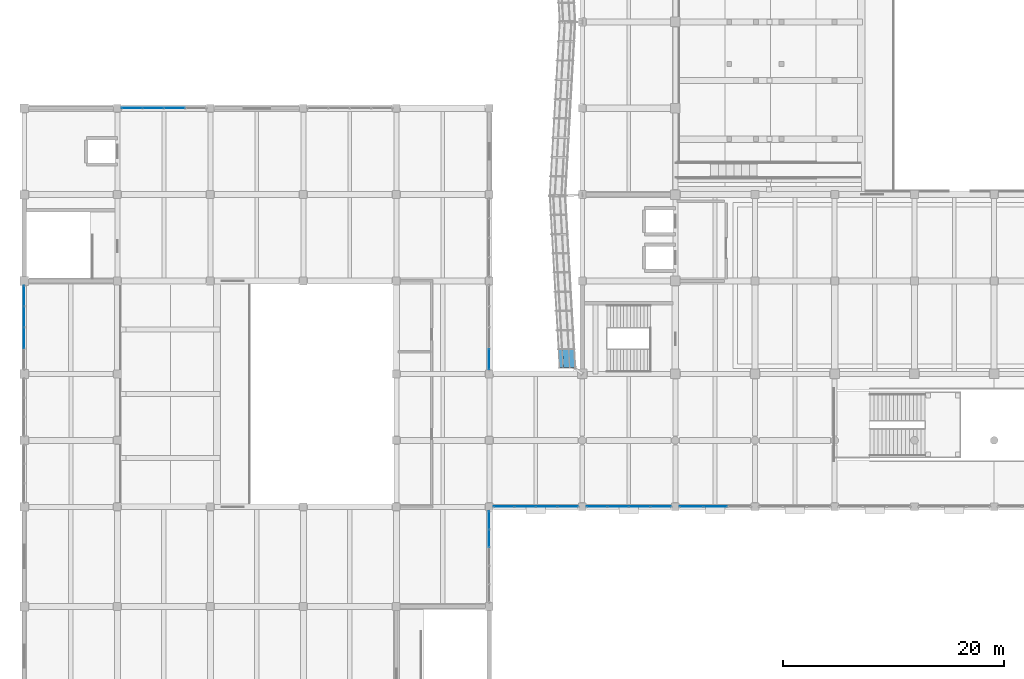
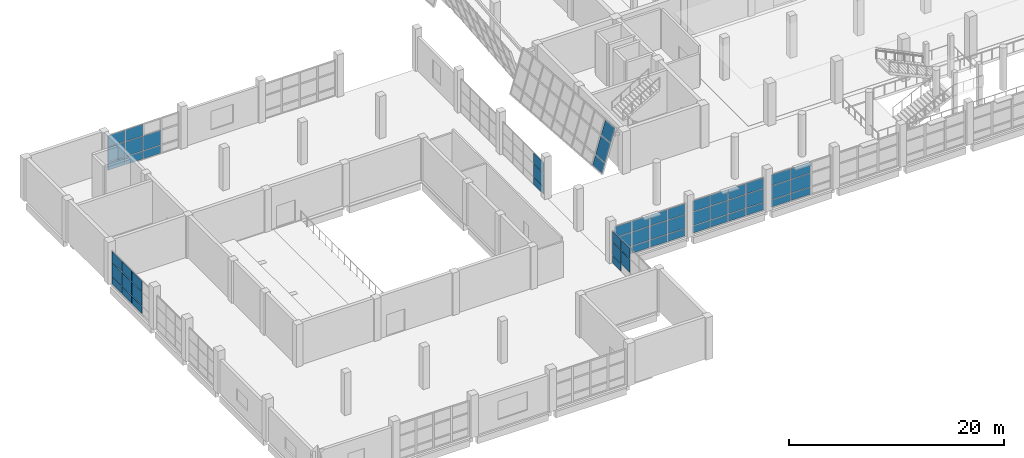
# One storey, part 65 of 91: 58 plates, 8 elements without a shape of their own.
"""IFC4 building model written with IfcOpenShell, lengths in metres."""

from ifc_helpers import new_model, si_unit, direction, frame, origin, place, context, subcontext, project, spatial, polyline, outline, extrude, material, layer, layer_set, type_object, element, aggregate, save


model = new_model("IFC4")

# Units and contexts
model_context = context("Model", 3, precision=1e-05, world=origin(), true_north=direction((0.0, 1.0)))
body_context = subcontext(model_context, "Body", "Model", "MODEL_VIEW")
ifc_project = project(units=[si_unit("LENGTHUNIT", "METRE"), si_unit("AREAUNIT", "SQUARE_METRE"), si_unit("VOLUMEUNIT", "CUBIC_METRE"), si_unit("PLANEANGLEUNIT", "RADIAN"), si_unit("MASSUNIT", "GRAM", prefix="KILO")], contexts=[model_context])

# Site, building, storey
site_placement = place(None, origin())
site = spatial("IfcSite", under=ifc_project, at=site_placement, CompositionType="ELEMENT")
building_placement = place(site_placement, origin())
building = spatial("IfcBuilding", under=site, at=building_placement, Name="Pellamere Symphony Hall", CompositionType="ELEMENT")
storey_placement = place(building_placement, frame((0.0, 0.0, 5.39990234375)))
storey = spatial("IfcBuildingStorey", under=building, at=storey_placement, Name="L01", CompositionType="ELEMENT", Elevation=5.39990234375)

# Curtain wall, plates
ifc_material_1 = material(Name="Thermally Broken Anodised Aluminium 6063-T6 Curtain Wall", Category="aluminium")
curtain_wall_type_1 = type_object("IfcCurtainWallType", Name="Curtain Wall CW-02 (Winter-Garden South Concourse Curtain Wall)", PredefinedType="NOTDEFINED", material=ifc_material_1)
curtain_wall_1_placement = place(storey_placement, origin())
curtain_wall_1 = element("IfcCurtainWall", 1, at=curtain_wall_1_placement, inside=storey, type_object=curtain_wall_type_1, Name="Winter-Garden South Curtain Wall (L01 Bay 1)", PredefinedType="NOTDEFINED")
ifc_material_2 = material(Name="Triple Low-E Argon Acoustic Glazing 36mm", Category="glass")
ifc_layer_1 = layer(ifc_material_2, 0.035888671875, Name="Triple Low-E Argon Acoustic Glazing 36mm")
ifc_layer_set_1 = layer_set([ifc_layer_1], Name="Triple Low-E Argon Acoustic Glazing 36mm")
plate_type_1 = type_object("IfcPlateType", Name="Facade Panel GL-01 36mm", PredefinedType="CURTAIN_PANEL", material=ifc_layer_set_1)
plate_1_placement = place(storey_placement, frame((42.4150390625, 18.0, 0.065185546875), z_axis=(0.0, -1.0, 0.0), x_axis=(1.0, 0.0, 0.0)))
plate_1 = element("IfcPlate", 2, at=plate_1_placement, type_object=plate_type_1, Name="CW2-066 crystal glass panel 1.1", PredefinedType="CURTAIN_PANEL", context=body_context, shape_type="SweptSolid", body=[
    extrude(outline(polyline([(0.0, 0.0), (1.827392578125, 0.0), (1.827392578125, 0.8095703125), (0.0, 0.8095703125), (0.0, 0.0)])), origin(), (0.0, 0.0, -1.0), 0.035888671875),
])
plate_2_placement = place(storey_placement, frame((42.4150390625, 18.0, 0.939697265625), z_axis=(0.0, -1.0, 0.0), x_axis=(1.0, 0.0, 0.0)))
plate_2 = element("IfcPlate", 3, at=plate_2_placement, type_object=plate_type_1, Name="CW2-066 crystal glass panel 1.2", PredefinedType="CURTAIN_PANEL", context=body_context, shape_type="SweptSolid", body=[
    extrude(outline(polyline([(0.0, 0.0), (1.827392578125, 0.0), (1.827392578125, 1.522705078125), (0.0, 1.522705078125), (0.0, 0.0)])), origin(), (0.0, 0.0, -1.0), 0.035888671875),
])
plate_3_placement = place(storey_placement, frame((42.4150390625, 18.0, 2.52734375), z_axis=(0.0, -1.0, 0.0), x_axis=(1.0, 0.0, 0.0)))
plate_3 = element("IfcPlate", 4, at=plate_3_placement, type_object=plate_type_1, Name="CW2-066 crystal glass panel 1.3", PredefinedType="CURTAIN_PANEL", context=body_context, shape_type="SweptSolid", body=[
    extrude(outline(polyline([(0.0, 0.0), (1.827392578125, 0.0), (1.827392578125, 1.187744140625), (0.0, 1.187744140625), (0.0, 0.0)])), origin(), (0.0, 0.0, -1.0), 0.035888671875),
])
plate_4_placement = place(storey_placement, frame((44.3076171875, 18.0, 0.065185546875), z_axis=(0.0, -1.0, 0.0), x_axis=(1.0, 0.0, 0.0)))
plate_4 = element("IfcPlate", 5, at=plate_4_placement, type_object=plate_type_1, Name="CW2-066 crystal glass panel 2.1", PredefinedType="CURTAIN_PANEL", context=body_context, shape_type="SweptSolid", body=[
    extrude(outline(polyline([(0.0, 0.0), (1.85986328125, 0.0), (1.85986328125, 0.8095703125), (0.0, 0.8095703125), (0.0, 0.0)])), origin(), (0.0, 0.0, -1.0), 0.035888671875),
])
plate_5_placement = place(storey_placement, frame((44.3076171875, 18.0, 0.939697265625), z_axis=(0.0, -1.0, 0.0), x_axis=(1.0, 0.0, 0.0)))
plate_5 = element("IfcPlate", 6, at=plate_5_placement, type_object=plate_type_1, Name="CW2-066 crystal glass panel 2.2", PredefinedType="CURTAIN_PANEL", context=body_context, shape_type="SweptSolid", body=[
    extrude(outline(polyline([(0.0, 0.0), (1.85986328125, 0.0), (1.85986328125, 1.522705078125), (0.0, 1.522705078125), (0.0, 0.0)])), origin(), (0.0, 0.0, -1.0), 0.035888671875),
])
plate_6_placement = place(storey_placement, frame((44.3076171875, 18.0, 2.52734375), z_axis=(0.0, -1.0, 0.0), x_axis=(1.0, 0.0, 0.0)))
plate_6 = element("IfcPlate", 7, at=plate_6_placement, type_object=plate_type_1, Name="CW2-066 crystal glass panel 2.3", PredefinedType="CURTAIN_PANEL", context=body_context, shape_type="SweptSolid", body=[
    extrude(outline(polyline([(0.0, 0.0), (1.85986328125, 0.0), (1.85986328125, 1.187744140625), (0.0, 1.187744140625), (0.0, 0.0)])), origin(), (0.0, 0.0, -1.0), 0.035888671875),
])
plate_7_placement = place(storey_placement, frame((46.232421875, 18.0, 0.065185546875), z_axis=(0.0, -1.0, 0.0), x_axis=(1.0, 0.0, 0.0)))
plate_7 = element("IfcPlate", 8, at=plate_7_placement, type_object=plate_type_1, Name="CW2-066 crystal glass panel 3.1", PredefinedType="CURTAIN_PANEL", context=body_context, shape_type="SweptSolid", body=[
    extrude(outline(polyline([(0.0, 0.0), (1.860107421875, 0.0), (1.860107421875, 0.8095703125), (0.0, 0.8095703125), (0.0, 0.0)])), origin(), (0.0, 0.0, -1.0), 0.035888671875),
])
plate_8_placement = place(storey_placement, frame((46.232421875, 18.0, 0.939697265625), z_axis=(0.0, -1.0, 0.0), x_axis=(1.0, 0.0, 0.0)))
plate_8 = element("IfcPlate", 9, at=plate_8_placement, type_object=plate_type_1, Name="CW2-066 crystal glass panel 3.2", PredefinedType="CURTAIN_PANEL", context=body_context, shape_type="SweptSolid", body=[
    extrude(outline(polyline([(0.0, 0.0), (1.860107421875, 0.0), (1.860107421875, 1.522705078125), (0.0, 1.522705078125), (0.0, 0.0)])), origin(), (0.0, 0.0, -1.0), 0.035888671875),
])
plate_9_placement = place(storey_placement, frame((46.232421875, 18.0, 2.52734375), z_axis=(0.0, -1.0, 0.0), x_axis=(1.0, 0.0, 0.0)))
plate_9 = element("IfcPlate", 10, at=plate_9_placement, type_object=plate_type_1, Name="CW2-066 crystal glass panel 3.3", PredefinedType="CURTAIN_PANEL", context=body_context, shape_type="SweptSolid", body=[
    extrude(outline(polyline([(0.0, 0.0), (1.860107421875, 0.0), (1.860107421875, 1.187744140625), (0.0, 1.187744140625), (0.0, 0.0)])), origin(), (0.0, 0.0, -1.0), 0.035888671875),
])
plate_10_placement = place(storey_placement, frame((48.157470703125, 18.0, 0.065185546875), z_axis=(0.0, -1.0, 0.0), x_axis=(1.0, 0.0, 0.0)))
plate_10 = element("IfcPlate", 11, at=plate_10_placement, type_object=plate_type_1, Name="CW2-066 crystal glass panel 4.1", PredefinedType="CURTAIN_PANEL", context=body_context, shape_type="SweptSolid", body=[
    extrude(outline(polyline([(0.0, 0.0), (1.82763671875, 0.0), (1.82763671875, 0.8095703125), (0.0, 0.8095703125), (0.0, 0.0)])), origin(), (0.0, 0.0, -1.0), 0.035888671875),
])
plate_11_placement = place(storey_placement, frame((48.157470703125, 18.0, 0.939697265625), z_axis=(0.0, -1.0, 0.0), x_axis=(1.0, 0.0, 0.0)))
plate_11 = element("IfcPlate", 12, at=plate_11_placement, type_object=plate_type_1, Name="CW2-066 crystal glass panel 4.2", PredefinedType="CURTAIN_PANEL", context=body_context, shape_type="SweptSolid", body=[
    extrude(outline(polyline([(0.0, 0.0), (1.82763671875, 0.0), (1.82763671875, 1.522705078125), (0.0, 1.522705078125), (0.0, 0.0)])), origin(), (0.0, 0.0, -1.0), 0.035888671875),
])
plate_12_placement = place(storey_placement, frame((48.157470703125, 18.0, 2.52734375), z_axis=(0.0, -1.0, 0.0), x_axis=(1.0, 0.0, 0.0)))
plate_12 = element("IfcPlate", 13, at=plate_12_placement, type_object=plate_type_1, Name="CW2-066 crystal glass panel 4.3", PredefinedType="CURTAIN_PANEL", context=body_context, shape_type="SweptSolid", body=[
    extrude(outline(polyline([(0.0, 0.0), (1.82763671875, 0.0), (1.82763671875, 1.187744140625), (0.0, 1.187744140625), (0.0, 0.0)])), origin(), (0.0, 0.0, -1.0), 0.035888671875),
])
aggregate(curtain_wall_1, [plate_1, plate_2, plate_3, plate_4, plate_5, plate_6, plate_7, plate_8, plate_9, plate_10, plate_11, plate_12])

curtain_wall_2_placement = place(storey_placement, origin())
curtain_wall_2 = element("IfcCurtainWall", 14, at=curtain_wall_2_placement, inside=storey, type_object=curtain_wall_type_1, Name="Winter-Garden South Curtain Wall (L01 Bay 2)", PredefinedType="NOTDEFINED")
plate_13_placement = place(storey_placement, frame((50.81494140625, 18.0, 0.065185546875), z_axis=(0.0, -1.0, 0.0), x_axis=(1.0, 0.0, 0.0)))
plate_13 = element("IfcPlate", 15, at=plate_13_placement, type_object=plate_type_1, Name="CW2-067 crystal glass panel 1.1", PredefinedType="CURTAIN_PANEL", context=body_context, shape_type="SweptSolid", body=[
    extrude(outline(polyline([(0.0, 0.0), (1.82763671875, 0.0), (1.82763671875, 0.8095703125), (0.0, 0.8095703125), (0.0, 0.0)])), origin(), (0.0, 0.0, -1.0), 0.035888671875),
])
plate_14_placement = place(storey_placement, frame((50.81494140625, 18.0, 0.939697265625), z_axis=(0.0, -1.0, 0.0), x_axis=(1.0, 0.0, 0.0)))
plate_14 = element("IfcPlate", 16, at=plate_14_placement, type_object=plate_type_1, Name="CW2-067 crystal glass panel 1.2", PredefinedType="CURTAIN_PANEL", context=body_context, shape_type="SweptSolid", body=[
    extrude(outline(polyline([(0.0, 0.0), (1.82763671875, 0.0), (1.82763671875, 1.522705078125), (0.0, 1.522705078125), (0.0, 0.0)])), origin(), (0.0, 0.0, -1.0), 0.035888671875),
])
plate_15_placement = place(storey_placement, frame((50.81494140625, 18.0, 2.52734375), z_axis=(0.0, -1.0, 0.0), x_axis=(1.0, 0.0, 0.0)))
plate_15 = element("IfcPlate", 17, at=plate_15_placement, type_object=plate_type_1, Name="CW2-067 crystal glass panel 1.3", PredefinedType="CURTAIN_PANEL", context=body_context, shape_type="SweptSolid", body=[
    extrude(outline(polyline([(0.0, 0.0), (1.82763671875, 0.0), (1.82763671875, 1.187744140625), (0.0, 1.187744140625), (0.0, 0.0)])), origin(), (0.0, 0.0, -1.0), 0.035888671875),
])
plate_16_placement = place(storey_placement, frame((52.70751953125, 18.0, 0.065185546875), z_axis=(0.0, -1.0, 0.0), x_axis=(1.0, 0.0, 0.0)))
plate_16 = element("IfcPlate", 18, at=plate_16_placement, type_object=plate_type_1, Name="CW2-067 crystal glass panel 2.1", PredefinedType="CURTAIN_PANEL", context=body_context, shape_type="SweptSolid", body=[
    extrude(outline(polyline([(0.0, 0.0), (1.85986328125, 0.0), (1.85986328125, 0.8095703125), (0.0, 0.8095703125), (0.0, 0.0)])), origin(), (0.0, 0.0, -1.0), 0.035888671875),
])
plate_17_placement = place(storey_placement, frame((52.70751953125, 18.0, 0.939697265625), z_axis=(0.0, -1.0, 0.0), x_axis=(1.0, 0.0, 0.0)))
plate_17 = element("IfcPlate", 19, at=plate_17_placement, type_object=plate_type_1, Name="CW2-067 crystal glass panel 2.2", PredefinedType="CURTAIN_PANEL", context=body_context, shape_type="SweptSolid", body=[
    extrude(outline(polyline([(0.0, 0.0), (1.85986328125, 0.0), (1.85986328125, 1.522705078125), (0.0, 1.522705078125), (0.0, 0.0)])), origin(), (0.0, 0.0, -1.0), 0.035888671875),
])
plate_18_placement = place(storey_placement, frame((52.70751953125, 18.0, 2.52734375), z_axis=(0.0, -1.0, 0.0), x_axis=(1.0, 0.0, 0.0)))
plate_18 = element("IfcPlate", 20, at=plate_18_placement, type_object=plate_type_1, Name="CW2-067 crystal glass panel 2.3", PredefinedType="CURTAIN_PANEL", context=body_context, shape_type="SweptSolid", body=[
    extrude(outline(polyline([(0.0, 0.0), (1.85986328125, 0.0), (1.85986328125, 1.187744140625), (0.0, 1.187744140625), (0.0, 0.0)])), origin(), (0.0, 0.0, -1.0), 0.035888671875),
])
plate_19_placement = place(storey_placement, frame((54.632568359375, 18.0, 0.065185546875), z_axis=(0.0, -1.0, 0.0), x_axis=(1.0, 0.0, 0.0)))
plate_19 = element("IfcPlate", 21, at=plate_19_placement, type_object=plate_type_1, Name="CW2-067 crystal glass panel 3.1", PredefinedType="CURTAIN_PANEL", context=body_context, shape_type="SweptSolid", body=[
    extrude(outline(polyline([(0.0, 0.0), (1.85986328125, 0.0), (1.85986328125, 0.8095703125), (0.0, 0.8095703125), (0.0, 0.0)])), origin(), (0.0, 0.0, -1.0), 0.035888671875),
])
plate_20_placement = place(storey_placement, frame((54.632568359375, 18.0, 0.939697265625), z_axis=(0.0, -1.0, 0.0), x_axis=(1.0, 0.0, 0.0)))
plate_20 = element("IfcPlate", 22, at=plate_20_placement, type_object=plate_type_1, Name="CW2-067 crystal glass panel 3.2", PredefinedType="CURTAIN_PANEL", context=body_context, shape_type="SweptSolid", body=[
    extrude(outline(polyline([(0.0, 0.0), (1.85986328125, 0.0), (1.85986328125, 1.522705078125), (0.0, 1.522705078125), (0.0, 0.0)])), origin(), (0.0, 0.0, -1.0), 0.035888671875),
])
plate_21_placement = place(storey_placement, frame((54.632568359375, 18.0, 2.52734375), z_axis=(0.0, -1.0, 0.0), x_axis=(1.0, 0.0, 0.0)))
plate_21 = element("IfcPlate", 23, at=plate_21_placement, type_object=plate_type_1, Name="CW2-067 crystal glass panel 3.3", PredefinedType="CURTAIN_PANEL", context=body_context, shape_type="SweptSolid", body=[
    extrude(outline(polyline([(0.0, 0.0), (1.85986328125, 0.0), (1.85986328125, 1.187744140625), (0.0, 1.187744140625), (0.0, 0.0)])), origin(), (0.0, 0.0, -1.0), 0.035888671875),
])
plate_22_placement = place(storey_placement, frame((56.5576171875, 18.0, 0.065185546875), z_axis=(0.0, -1.0, 0.0), x_axis=(1.0, 0.0, 0.0)))
plate_22 = element("IfcPlate", 24, at=plate_22_placement, type_object=plate_type_1, Name="CW2-067 crystal glass panel 4.1", PredefinedType="CURTAIN_PANEL", context=body_context, shape_type="SweptSolid", body=[
    extrude(outline(polyline([(0.0, 0.0), (1.827392578125, 0.0), (1.827392578125, 0.8095703125), (0.0, 0.8095703125), (0.0, 0.0)])), origin(), (0.0, 0.0, -1.0), 0.035888671875),
])
plate_23_placement = place(storey_placement, frame((56.5576171875, 18.0, 0.939697265625), z_axis=(0.0, -1.0, 0.0), x_axis=(1.0, 0.0, 0.0)))
plate_23 = element("IfcPlate", 25, at=plate_23_placement, type_object=plate_type_1, Name="CW2-067 crystal glass panel 4.2", PredefinedType="CURTAIN_PANEL", context=body_context, shape_type="SweptSolid", body=[
    extrude(outline(polyline([(0.0, 0.0), (1.827392578125, 0.0), (1.827392578125, 1.522705078125), (0.0, 1.522705078125), (0.0, 0.0)])), origin(), (0.0, 0.0, -1.0), 0.035888671875),
])
plate_24_placement = place(storey_placement, frame((56.5576171875, 18.0, 2.52734375), z_axis=(0.0, -1.0, 0.0), x_axis=(1.0, 0.0, 0.0)))
plate_24 = element("IfcPlate", 26, at=plate_24_placement, type_object=plate_type_1, Name="CW2-067 crystal glass panel 4.3", PredefinedType="CURTAIN_PANEL", context=body_context, shape_type="SweptSolid", body=[
    extrude(outline(polyline([(0.0, 0.0), (1.827392578125, 0.0), (1.827392578125, 1.187744140625), (0.0, 1.187744140625), (0.0, 0.0)])), origin(), (0.0, 0.0, -1.0), 0.035888671875),
])
aggregate(curtain_wall_2, [plate_13, plate_14, plate_15, plate_16, plate_17, plate_18, plate_19, plate_20, plate_21, plate_22, plate_23, plate_24])

curtain_wall_type_2 = type_object("IfcCurtainWallType", Name="Curtain Wall CW-04 (Chamber Music Lobby Curtain Wall)", PredefinedType="NOTDEFINED", material=ifc_material_1)
curtain_wall_3_placement = place(storey_placement, origin())
curtain_wall_3 = element("IfcCurtainWall", 27, at=curtain_wall_3_placement, inside=storey, type_object=curtain_wall_type_2, Name="Chamber Forecourt East Curtain Wall (L01 Bay 1)", PredefinedType="NOTDEFINED")
plate_25_placement = place(storey_placement, frame((42.0, 14.362548828125, 0.920654296875), z_axis=(1.0, 0.0, 0.0), x_axis=(0.0, 1.0, 0.0)))
plate_25 = element("IfcPlate", 28, at=plate_25_placement, type_object=plate_type_1, Name="CW4E-116 crystal glass panel 4.2", PredefinedType="CURTAIN_PANEL", context=body_context, shape_type="SweptSolid", body=[
    extrude(outline(polyline([(0.0, 0.0), (1.594970703125, 0.0), (1.594970703125, 1.489013671875), (0.0, 1.489013671875), (0.0, 0.0)])), origin(), (0.0, 0.0, -1.0), 0.035888671875),
])
plate_26_placement = place(storey_placement, frame((42.0, 14.362548828125, 2.474609375), z_axis=(1.0, 0.0, 0.0), x_axis=(0.0, 1.0, 0.0)))
plate_26 = element("IfcPlate", 29, at=plate_26_placement, type_object=plate_type_1, Name="CW4E-116 crystal glass panel 4.3", PredefinedType="CURTAIN_PANEL", context=body_context, shape_type="SweptSolid", body=[
    extrude(outline(polyline([(0.0, 0.0), (1.594970703125, 0.0), (1.594970703125, 1.160400390625), (0.0, 1.160400390625), (0.0, 0.0)])), origin(), (0.0, 0.0, -1.0), 0.035888671875),
])
plate_27_placement = place(storey_placement, frame((42.0, 16.0224609375, 0.065185546875), z_axis=(1.0, 0.0, 0.0), x_axis=(0.0, 1.0, 0.0)))
plate_27 = element("IfcPlate", 30, at=plate_27_placement, type_object=plate_type_1, Name="CW4E-116 crystal glass panel 5.1", PredefinedType="CURTAIN_PANEL", context=body_context, shape_type="SweptSolid", body=[
    extrude(outline(polyline([(0.0, 0.0), (1.5625, 0.0), (1.5625, 0.79052734375), (0.0, 0.79052734375), (0.0, 0.0)])), origin(), (0.0, 0.0, -1.0), 0.035888671875),
])
plate_28_placement = place(storey_placement, frame((42.0, 16.0224609375, 0.920654296875), z_axis=(1.0, 0.0, 0.0), x_axis=(0.0, 1.0, 0.0)))
plate_28 = element("IfcPlate", 31, at=plate_28_placement, type_object=plate_type_1, Name="CW4E-116 crystal glass panel 5.2", PredefinedType="CURTAIN_PANEL", context=body_context, shape_type="SweptSolid", body=[
    extrude(outline(polyline([(0.0, 0.0), (1.5625, 0.0), (1.5625, 1.489013671875), (0.0, 1.489013671875), (0.0, 0.0)])), origin(), (0.0, 0.0, -1.0), 0.035888671875),
])
plate_29_placement = place(storey_placement, frame((42.0, 16.0224609375, 2.474609375), z_axis=(1.0, 0.0, 0.0), x_axis=(0.0, 1.0, 0.0)))
plate_29 = element("IfcPlate", 32, at=plate_29_placement, type_object=plate_type_1, Name="CW4E-116 crystal glass panel 5.3", PredefinedType="CURTAIN_PANEL", context=body_context, shape_type="SweptSolid", body=[
    extrude(outline(polyline([(0.0, 0.0), (1.5625, 0.0), (1.5625, 1.160400390625), (0.0, 1.160400390625), (0.0, 0.0)])), origin(), (0.0, 0.0, -1.0), 0.035888671875),
])
aggregate(curtain_wall_3, [plate_25, plate_26, plate_27, plate_28, plate_29])

curtain_wall_4_placement = place(storey_placement, origin())
curtain_wall_4 = element("IfcCurtainWall", 33, at=curtain_wall_4_placement, inside=storey, type_object=curtain_wall_type_2, Name="Chamber Forecourt East Curtain Wall (L01 Bay 2)", PredefinedType="NOTDEFINED")
plate_30_placement = place(storey_placement, frame((42.0, 30.4150390625, 0.065185546875), z_axis=(1.0, 0.0, 0.0), x_axis=(0.0, 1.0, 0.0)))
plate_30 = element("IfcPlate", 34, at=plate_30_placement, type_object=plate_type_1, Name="CW4E-117 crystal glass panel 1.1", PredefinedType="CURTAIN_PANEL", context=body_context, shape_type="SweptSolid", body=[
    extrude(outline(polyline([(0.0, 0.0), (1.827392578125, 0.0), (1.827392578125, 0.79052734375), (0.0, 0.79052734375), (0.0, 0.0)])), origin(), (0.0, 0.0, -1.0), 0.035888671875),
])
plate_31_placement = place(storey_placement, frame((42.0, 30.4150390625, 0.920654296875), z_axis=(1.0, 0.0, 0.0), x_axis=(0.0, 1.0, 0.0)))
plate_31 = element("IfcPlate", 35, at=plate_31_placement, type_object=plate_type_1, Name="CW4E-117 crystal glass panel 1.2", PredefinedType="CURTAIN_PANEL", context=body_context, shape_type="SweptSolid", body=[
    extrude(outline(polyline([(0.0, 0.0), (1.827392578125, 0.0), (1.827392578125, 1.489013671875), (0.0, 1.489013671875), (0.0, 0.0)])), origin(), (0.0, 0.0, -1.0), 0.035888671875),
])
plate_32_placement = place(storey_placement, frame((42.0, 30.4150390625, 2.474609375), z_axis=(1.0, 0.0, 0.0), x_axis=(0.0, 1.0, 0.0)))
plate_32 = element("IfcPlate", 36, at=plate_32_placement, type_object=plate_type_1, Name="CW4E-117 crystal glass panel 1.3", PredefinedType="CURTAIN_PANEL", context=body_context, shape_type="SweptSolid", body=[
    extrude(outline(polyline([(0.0, 0.0), (1.827392578125, 0.0), (1.827392578125, 1.160400390625), (0.0, 1.160400390625), (0.0, 0.0)])), origin(), (0.0, 0.0, -1.0), 0.035888671875),
])
aggregate(curtain_wall_4, [plate_30, plate_31, plate_32])

curtain_wall_5_placement = place(storey_placement, origin())
curtain_wall_5 = element("IfcCurtainWall", 37, at=curtain_wall_5_placement, inside=storey, type_object=curtain_wall_type_2, Name="Chamber Garden North Curtain Wall (L01 Bay 1)", PredefinedType="NOTDEFINED")
plate_33_placement = place(storey_placement, frame((8.81494140625, 54.0, 0.065185546875), z_axis=(0.0, -1.0, 0.0), x_axis=(1.0, 0.0, 0.0)))
plate_33 = element("IfcPlate", 38, at=plate_33_placement, type_object=plate_type_1, Name="CW4N-119 crystal glass panel 1.1", PredefinedType="CURTAIN_PANEL", context=body_context, shape_type="SweptSolid", body=[
    extrude(outline(polyline([(0.0, 0.0), (1.82763671875, 0.0), (1.82763671875, 0.877685546875), (0.0, 0.877685546875), (0.0, 0.0)])), origin(), (0.0, 0.0, -1.0), 0.035888671875),
])
plate_34_placement = place(storey_placement, frame((8.81494140625, 54.0, 1.008056640625), z_axis=(0.0, -1.0, 0.0), x_axis=(1.0, 0.0, 0.0)))
plate_34 = element("IfcPlate", 39, at=plate_34_placement, type_object=plate_type_1, Name="CW4N-119 crystal glass panel 1.2", PredefinedType="CURTAIN_PANEL", context=body_context, shape_type="SweptSolid", body=[
    extrude(outline(polyline([(0.0, 0.0), (1.82763671875, 0.0), (1.82763671875, 1.641845703125), (0.0, 1.641845703125), (0.0, 0.0)])), origin(), (0.0, 0.0, -1.0), 0.035888671875),
])
plate_35_placement = place(storey_placement, frame((8.81494140625, 54.0, 2.71484375), z_axis=(0.0, -1.0, 0.0), x_axis=(1.0, 0.0, 0.0)))
plate_35 = element("IfcPlate", 40, at=plate_35_placement, type_object=plate_type_1, Name="CW4N-119 crystal glass panel 1.3", PredefinedType="CURTAIN_PANEL", context=body_context, shape_type="SweptSolid", body=[
    extrude(outline(polyline([(0.0, 0.0), (1.82763671875, 0.0), (1.82763671875, 1.2841796875), (0.0, 1.2841796875), (0.0, 0.0)])), origin(), (0.0, 0.0, -1.0), 0.035888671875),
])
plate_36_placement = place(storey_placement, frame((10.70751953125, 54.0, 0.065185546875), z_axis=(0.0, -1.0, 0.0), x_axis=(1.0, 0.0, 0.0)))
plate_36 = element("IfcPlate", 41, at=plate_36_placement, type_object=plate_type_1, Name="CW4N-119 crystal glass panel 2.1", PredefinedType="CURTAIN_PANEL", context=body_context, shape_type="SweptSolid", body=[
    extrude(outline(polyline([(0.0, 0.0), (1.85986328125, 0.0), (1.85986328125, 0.877685546875), (0.0, 0.877685546875), (0.0, 0.0)])), origin(), (0.0, 0.0, -1.0), 0.035888671875),
])
plate_37_placement = place(storey_placement, frame((10.70751953125, 54.0, 1.008056640625), z_axis=(0.0, -1.0, 0.0), x_axis=(1.0, 0.0, 0.0)))
plate_37 = element("IfcPlate", 42, at=plate_37_placement, type_object=plate_type_1, Name="CW4N-119 crystal glass panel 2.2", PredefinedType="CURTAIN_PANEL", context=body_context, shape_type="SweptSolid", body=[
    extrude(outline(polyline([(0.0, 0.0), (1.85986328125, 0.0), (1.85986328125, 1.641845703125), (0.0, 1.641845703125), (0.0, 0.0)])), origin(), (0.0, 0.0, -1.0), 0.035888671875),
])
plate_38_placement = place(storey_placement, frame((10.70751953125, 54.0, 2.71484375), z_axis=(0.0, -1.0, 0.0), x_axis=(1.0, 0.0, 0.0)))
plate_38 = element("IfcPlate", 43, at=plate_38_placement, type_object=plate_type_1, Name="CW4N-119 crystal glass panel 2.3", PredefinedType="CURTAIN_PANEL", context=body_context, shape_type="SweptSolid", body=[
    extrude(outline(polyline([(0.0, 0.0), (1.85986328125, 0.0), (1.85986328125, 1.2841796875), (0.0, 1.2841796875), (0.0, 0.0)])), origin(), (0.0, 0.0, -1.0), 0.035888671875),
])
plate_39_placement = place(storey_placement, frame((12.632568359375, 54.0, 0.065185546875), z_axis=(0.0, -1.0, 0.0), x_axis=(1.0, 0.0, 0.0)))
plate_39 = element("IfcPlate", 44, at=plate_39_placement, type_object=plate_type_1, Name="CW4N-119 crystal glass panel 3.1", PredefinedType="CURTAIN_PANEL", context=body_context, shape_type="SweptSolid", body=[
    extrude(outline(polyline([(0.0, 0.0), (1.85986328125, 0.0), (1.85986328125, 0.877685546875), (0.0, 0.877685546875), (0.0, 0.0)])), origin(), (0.0, 0.0, -1.0), 0.035888671875),
])
plate_40_placement = place(storey_placement, frame((12.632568359375, 54.0, 1.008056640625), z_axis=(0.0, -1.0, 0.0), x_axis=(1.0, 0.0, 0.0)))
plate_40 = element("IfcPlate", 45, at=plate_40_placement, type_object=plate_type_1, Name="CW4N-119 crystal glass panel 3.2", PredefinedType="CURTAIN_PANEL", context=body_context, shape_type="SweptSolid", body=[
    extrude(outline(polyline([(0.0, 0.0), (1.85986328125, 0.0), (1.85986328125, 1.641845703125), (0.0, 1.641845703125), (0.0, 0.0)])), origin(), (0.0, 0.0, -1.0), 0.035888671875),
])
aggregate(curtain_wall_5, [plate_33, plate_34, plate_35, plate_36, plate_37, plate_38, plate_39, plate_40])

curtain_wall_6_placement = place(storey_placement, origin())
curtain_wall_6 = element("IfcCurtainWall", 46, at=curtain_wall_6_placement, inside=storey, type_object=curtain_wall_type_2, Name="Chamber West Gallery Curtain Wall (L01 Bay 3)", PredefinedType="NOTDEFINED")
plate_41_placement = place(storey_placement, frame((0.0, 32.327392578125, 0.065185546875), z_axis=(1.0, 0.0, 0.0), x_axis=(0.0, 1.0, 0.0)))
plate_41 = element("IfcPlate", 47, at=plate_41_placement, type_object=plate_type_1, Name="CW4W-123 crystal glass panel 2.1", PredefinedType="CURTAIN_PANEL", context=body_context, shape_type="SweptSolid", body=[
    extrude(outline(polyline([(0.0, 0.0), (1.840087890625, 0.0), (1.840087890625, 0.814453125), (0.0, 0.814453125), (0.0, 0.0)])), origin(), (0.0, 0.0, -1.0), 0.035888671875),
])
plate_42_placement = place(storey_placement, frame((0.0, 32.327392578125, 0.944580078125), z_axis=(1.0, 0.0, 0.0), x_axis=(0.0, 1.0, 0.0)))
plate_42 = element("IfcPlate", 48, at=plate_42_placement, type_object=plate_type_1, Name="CW4W-123 crystal glass panel 2.2", PredefinedType="CURTAIN_PANEL", context=body_context, shape_type="SweptSolid", body=[
    extrude(outline(polyline([(0.0, 0.0), (1.840087890625, 0.0), (1.840087890625, 1.531005859375), (0.0, 1.531005859375), (0.0, 0.0)])), origin(), (0.0, 0.0, -1.0), 0.035888671875),
])
plate_43_placement = place(storey_placement, frame((0.0, 32.327392578125, 2.54052734375), z_axis=(1.0, 0.0, 0.0), x_axis=(0.0, 1.0, 0.0)))
plate_43 = element("IfcPlate", 49, at=plate_43_placement, type_object=plate_type_1, Name="CW4W-123 crystal glass panel 2.3", PredefinedType="CURTAIN_PANEL", context=body_context, shape_type="SweptSolid", body=[
    extrude(outline(polyline([(0.0, 0.0), (1.840087890625, 0.0), (1.840087890625, 1.194580078125), (0.0, 1.194580078125), (0.0, 0.0)])), origin(), (0.0, 0.0, -1.0), 0.035888671875),
])
plate_44_placement = place(storey_placement, frame((0.0, 34.232421875, 0.065185546875), z_axis=(1.0, 0.0, 0.0), x_axis=(0.0, 1.0, 0.0)))
plate_44 = element("IfcPlate", 50, at=plate_44_placement, type_object=plate_type_1, Name="CW4W-123 crystal glass panel 3.1", PredefinedType="CURTAIN_PANEL", context=body_context, shape_type="SweptSolid", body=[
    extrude(outline(polyline([(0.0, 0.0), (1.840087890625, 0.0), (1.840087890625, 0.814453125), (0.0, 0.814453125), (0.0, 0.0)])), origin(), (0.0, 0.0, -1.0), 0.035888671875),
])
plate_45_placement = place(storey_placement, frame((0.0, 34.232421875, 0.944580078125), z_axis=(1.0, 0.0, 0.0), x_axis=(0.0, 1.0, 0.0)))
plate_45 = element("IfcPlate", 51, at=plate_45_placement, type_object=plate_type_1, Name="CW4W-123 crystal glass panel 3.2", PredefinedType="CURTAIN_PANEL", context=body_context, shape_type="SweptSolid", body=[
    extrude(outline(polyline([(0.0, 0.0), (1.840087890625, 0.0), (1.840087890625, 1.531005859375), (0.0, 1.531005859375), (0.0, 0.0)])), origin(), (0.0, 0.0, -1.0), 0.035888671875),
])
plate_46_placement = place(storey_placement, frame((0.0, 34.232421875, 2.54052734375), z_axis=(1.0, 0.0, 0.0), x_axis=(0.0, 1.0, 0.0)))
plate_46 = element("IfcPlate", 52, at=plate_46_placement, type_object=plate_type_1, Name="CW4W-123 crystal glass panel 3.3", PredefinedType="CURTAIN_PANEL", context=body_context, shape_type="SweptSolid", body=[
    extrude(outline(polyline([(0.0, 0.0), (1.840087890625, 0.0), (1.840087890625, 1.194580078125), (0.0, 1.194580078125), (0.0, 0.0)])), origin(), (0.0, 0.0, -1.0), 0.035888671875),
])
plate_47_placement = place(storey_placement, frame((0.0, 36.137451171875, 0.065185546875), z_axis=(1.0, 0.0, 0.0), x_axis=(0.0, 1.0, 0.0)))
plate_47 = element("IfcPlate", 53, at=plate_47_placement, type_object=plate_type_1, Name="CW4W-123 crystal glass panel 4.1", PredefinedType="CURTAIN_PANEL", context=body_context, shape_type="SweptSolid", body=[
    extrude(outline(polyline([(0.0, 0.0), (1.8076171875, 0.0), (1.8076171875, 0.814453125), (0.0, 0.814453125), (0.0, 0.0)])), origin(), (0.0, 0.0, -1.0), 0.035888671875),
])
plate_48_placement = place(storey_placement, frame((0.0, 36.137451171875, 0.944580078125), z_axis=(1.0, 0.0, 0.0), x_axis=(0.0, 1.0, 0.0)))
plate_48 = element("IfcPlate", 54, at=plate_48_placement, type_object=plate_type_1, Name="CW4W-123 crystal glass panel 4.2", PredefinedType="CURTAIN_PANEL", context=body_context, shape_type="SweptSolid", body=[
    extrude(outline(polyline([(0.0, 0.0), (1.8076171875, 0.0), (1.8076171875, 1.531005859375), (0.0, 1.531005859375), (0.0, 0.0)])), origin(), (0.0, 0.0, -1.0), 0.035888671875),
])
plate_49_placement = place(storey_placement, frame((0.0, 36.137451171875, 2.54052734375), z_axis=(1.0, 0.0, 0.0), x_axis=(0.0, 1.0, 0.0)))
plate_49 = element("IfcPlate", 55, at=plate_49_placement, type_object=plate_type_1, Name="CW4W-123 crystal glass panel 4.3", PredefinedType="CURTAIN_PANEL", context=body_context, shape_type="SweptSolid", body=[
    extrude(outline(polyline([(0.0, 0.0), (1.8076171875, 0.0), (1.8076171875, 1.194580078125), (0.0, 1.194580078125), (0.0, 0.0)])), origin(), (0.0, 0.0, -1.0), 0.035888671875),
])
aggregate(curtain_wall_6, [plate_41, plate_42, plate_43, plate_44, plate_45, plate_46, plate_47, plate_48, plate_49])

curtain_wall_type_3 = type_object("IfcCurtainWallType", Name="Curtain Wall CW-01 (Tilted Faceted Crystal Low-Iron Curtain Wall)", PredefinedType="NOTDEFINED", material=ifc_material_1)
curtain_wall_7_placement = place(storey_placement, origin())
curtain_wall_7 = element("IfcCurtainWall", 56, at=curtain_wall_7_placement, inside=storey, type_object=curtain_wall_type_3, Name="Crystal Faceted Curtain Wall CW-CR18 (L01)", PredefinedType="NOTDEFINED")
ifc_material_3 = material(Name="Triple Laminated Acoustic Crystal Glazing 42mm", Category="glass")
ifc_layer_2 = layer(ifc_material_3, 0.0419921875, Name="Triple Laminated Acoustic Crystal Glazing 42mm")
ifc_layer_set_2 = layer_set([ifc_layer_2], Name="Triple Laminated Acoustic Crystal Glazing 42mm")
plate_type_2 = type_object("IfcPlateType", Name="Facade Panel GL-02 42mm", PredefinedType="CURTAIN_PANEL", material=ifc_layer_set_2)
plate_50_placement = place(storey_placement, frame((48.251708984375, 32.19580078125, 0.072021484375), z_axis=(-0.957350518643, -0.055228987595, 0.283601381137), x_axis=(0.057593652861, -0.998340107954, 0.0)))
plate_50 = element("IfcPlate", 57, at=plate_50_placement, type_object=plate_type_2, Name="CW1-053 crystal glass panel 9.1", PredefinedType="CURTAIN_PANEL", context=body_context, shape_type="SweptSolid", body=[
    extrude(outline(polyline([(0.0, 0.0), (1.6235445180063734, -3.469446951953614e-18), (1.6413597421702713, 1.0888971082762222), (0.01781522416389773, 1.0888971082762222), (0.0, 0.0)])), origin(), (0.0, 0.0, -1.0), 0.0419921875),
])
plate_51_placement = place(storey_placement, frame((48.582275390625, 32.19580078125, 1.18798828125), z_axis=(-0.957348061132, -0.055228845822, 0.283609704409), x_axis=(0.057593652861, -0.998340107954, 0.0)))
plate_51 = element("IfcPlate", 58, at=plate_51_placement, type_object=plate_type_2, Name="CW1-053 crystal glass panel 9.2", PredefinedType="CURTAIN_PANEL", context=body_context, shape_type="SweptSolid", body=[
    extrude(outline(polyline([(0.0, 0.0), (1.6235445180063734, -3.469446951953614e-18), (1.6567143000131885, 2.027334564264273), (0.033169782006815106, 2.027334564264273), (0.0, 0.0)])), origin(), (0.0, 0.0, -1.0), 0.0419921875),
])
plate_52_placement = place(storey_placement, frame((49.179443359375, 32.19580078125, 3.2041015625), z_axis=(-0.957367143963, -0.055229946699, 0.283545066344), x_axis=(0.057593652861, -0.998340107954, 0.0)))
plate_52 = element("IfcPlate", 59, at=plate_52_placement, type_object=plate_type_2, Name="CW1-053 crystal glass panel 9.3", PredefinedType="CURTAIN_PANEL", context=body_context, shape_type="SweptSolid", body=[
    extrude(outline(polyline([(0.0, 0.0), (1.6235445180063734, -6.938893903907228e-18), (1.6495432153063316, 1.5894006535955305), (0.02599869729995809, 1.5894006535955305), (0.0, 0.0)])), origin(), (0.0, 0.0, -1.0), 0.0419921875),
])
aggregate(curtain_wall_7, [plate_50, plate_51, plate_52])

curtain_wall_8_placement = place(storey_placement, origin())
curtain_wall_8 = element("IfcCurtainWall", 60, at=curtain_wall_8_placement, inside=storey, type_object=curtain_wall_type_1, Name="Winter-Garden South Curtain Wall (L01 Bay 3)", PredefinedType="NOTDEFINED")
ifc_material_4 = material(Name="Mineral-Wool Insulated Dark Zinc Spandrel Panel", Category="aluminium")
ifc_layer_3 = layer(ifc_material_4, 0.054931640625, Name="Mineral-Wool Insulated Dark Zinc Spandrel Panel")
ifc_layer_set_3 = layer_set([ifc_layer_3], Name="Mineral-Wool Insulated Dark Zinc Spandrel Panel")
plate_type_3 = type_object("IfcPlateType", Name="Facade Panel SP-02 55mm", PredefinedType="CURTAIN_PANEL", material=ifc_layer_set_3)
plate_53_placement = place(storey_placement, frame((59.215087890625, 18.0, 0.065185546875), z_axis=(0.0, -1.0, 0.0), x_axis=(1.0, 0.0, 0.0)))
plate_53 = element("IfcPlate", 61, at=plate_53_placement, type_object=plate_type_3, Name="CW2-068 crystal glass panel 1.1", PredefinedType="CURTAIN_PANEL", context=body_context, shape_type="SweptSolid", body=[
    extrude(outline(polyline([(0.0, 0.0), (2.069091796875, 0.0), (2.069091796875, 0.8095703125), (0.0, 0.8095703125), (0.0, 0.0)])), origin(), (0.0, 0.0, -1.0), 0.054931640625),
])
plate_54_placement = place(storey_placement, frame((59.215087890625, 18.0, 0.939697265625), z_axis=(0.0, -1.0, 0.0), x_axis=(1.0, 0.0, 0.0)))
plate_54 = element("IfcPlate", 62, at=plate_54_placement, type_object=plate_type_3, Name="CW2-068 crystal glass panel 1.2", PredefinedType="CURTAIN_PANEL", context=body_context, shape_type="SweptSolid", body=[
    extrude(outline(polyline([(0.0, 0.0), (2.069091796875, 0.0), (2.069091796875, 1.522705078125), (0.0, 1.522705078125), (0.0, 0.0)])), origin(), (0.0, 0.0, -1.0), 0.054931640625),
])
plate_55_placement = place(storey_placement, frame((59.215087890625, 18.0, 2.52734375), z_axis=(0.0, -1.0, 0.0), x_axis=(1.0, 0.0, 0.0)))
plate_55 = element("IfcPlate", 63, at=plate_55_placement, type_object=plate_type_3, Name="CW2-068 crystal glass panel 1.3", PredefinedType="CURTAIN_PANEL", context=body_context, shape_type="SweptSolid", body=[
    extrude(outline(polyline([(0.0, 0.0), (2.069091796875, 0.0), (2.069091796875, 1.187744140625), (0.0, 1.187744140625), (0.0, 0.0)])), origin(), (0.0, 0.0, -1.0), 0.054931640625),
])
plate_56_placement = place(storey_placement, frame((61.34912109375, 18.0, 0.065185546875), z_axis=(0.0, -1.0, 0.0), x_axis=(1.0, 0.0, 0.0)))
plate_56 = element("IfcPlate", 64, at=plate_56_placement, type_object=plate_type_3, Name="CW2-068 crystal glass panel 2.1", PredefinedType="CURTAIN_PANEL", context=body_context, shape_type="SweptSolid", body=[
    extrude(outline(polyline([(0.0, 0.0), (2.101806640625, 0.0), (2.101806640625, 0.8095703125), (0.0, 0.8095703125), (0.0, 0.0)])), origin(), (0.0, 0.0, -1.0), 0.054931640625),
])
plate_57_placement = place(storey_placement, frame((61.34912109375, 18.0, 0.939697265625), z_axis=(0.0, -1.0, 0.0), x_axis=(1.0, 0.0, 0.0)))
plate_57 = element("IfcPlate", 65, at=plate_57_placement, type_object=plate_type_3, Name="CW2-068 crystal glass panel 2.2", PredefinedType="CURTAIN_PANEL", context=body_context, shape_type="SweptSolid", body=[
    extrude(outline(polyline([(0.0, 0.0), (2.101806640625, 0.0), (2.101806640625, 1.522705078125), (0.0, 1.522705078125), (0.0, 0.0)])), origin(), (0.0, 0.0, -1.0), 0.054931640625),
])
plate_58_placement = place(storey_placement, frame((61.34912109375, 18.0, 2.52734375), z_axis=(0.0, -1.0, 0.0), x_axis=(1.0, 0.0, 0.0)))
plate_58 = element("IfcPlate", 66, at=plate_58_placement, type_object=plate_type_3, Name="CW2-068 crystal glass panel 2.3", PredefinedType="CURTAIN_PANEL", context=body_context, shape_type="SweptSolid", body=[
    extrude(outline(polyline([(0.0, 0.0), (2.101806640625, 0.0), (2.101806640625, 1.187744140625), (0.0, 1.187744140625), (0.0, 0.0)])), origin(), (0.0, 0.0, -1.0), 0.054931640625),
])
aggregate(curtain_wall_8, [plate_53, plate_54, plate_55, plate_56, plate_57, plate_58])

save(model, "model.ifc")
